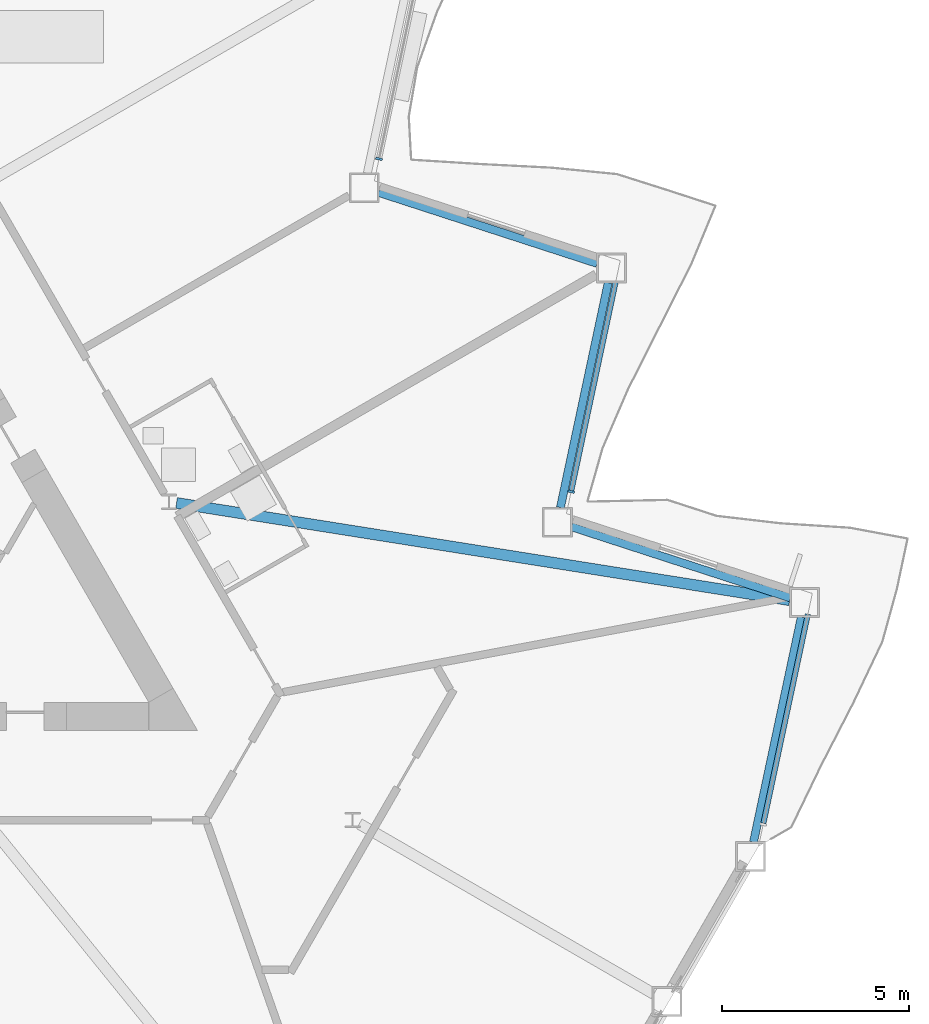
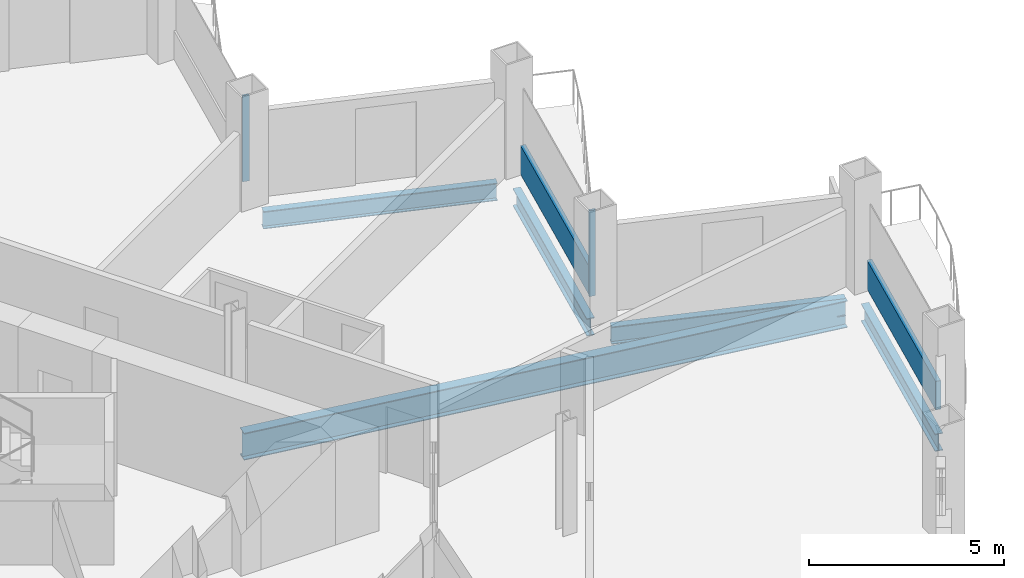
# One storey, part 6 of 22: 5 beams, 4 members, 3 elements without a shape of their own.
"""IFC4 building model written with IfcOpenShell, lengths in metres."""

from ifc_helpers import new_model, si_unit, direction, frame, origin, origin_2d, place, context, subcontext, project, spatial, rectangle, i_section, extrude, material, layer, layer_set, material_profile, profile_set, type_object, element, aggregate, save


model = new_model("IFC4")

# Units and contexts
model_context = context("Model", 3, precision=1e-05, world=origin(), true_north=direction((0.0, 1.0)))
body_context = subcontext(model_context, "Body", "Model", "MODEL_VIEW")
ifc_project = project(units=[si_unit("LENGTHUNIT", "METRE"), si_unit("AREAUNIT", "SQUARE_METRE"), si_unit("VOLUMEUNIT", "CUBIC_METRE"), si_unit("PLANEANGLEUNIT", "RADIAN"), si_unit("MASSUNIT", "GRAM", prefix="KILO")], contexts=[model_context])

# Site, building, storey
site_placement = place(None, origin())
site = spatial("IfcSite", under=ifc_project, at=site_placement, CompositionType="ELEMENT")
building_placement = place(site_placement, origin())
building = spatial("IfcBuilding", under=site, at=building_placement, Name="Cormorant Prow Tower", CompositionType="ELEMENT")
storey_placement = place(building_placement, frame((0.0, 0.0, 190.800048828125)))
storey = spatial("IfcBuildingStorey", under=building, at=storey_placement, Name="L41", CompositionType="ELEMENT", Elevation=190.800048828125)

# Curtain wall, member
ifc_material_1 = material(Name="Aluminium 6063-T6", Category="aluminium")
ifc_layer = layer(ifc_material_1, 0.179931640625)
ifc_layer_set = layer_set([ifc_layer], Name="Aluminium 6063-T6")
curtain_wall_type = type_object("IfcCurtainWallType", Name="Hotel unitised curtain wall 180", PredefinedType="NOTDEFINED", material=ifc_layer_set)
curtain_wall_1_placement = place(storey_placement, origin())
curtain_wall_1 = element("IfcCurtainWall", 1, at=curtain_wall_1_placement, inside=storey, type_object=curtain_wall_type, Name="Hotel curtain wall ENE02", PredefinedType="NOTDEFINED")
ifc_material_2 = material(Name="Aluminium 6063-T6", Category="aluminium")
ifc_material_profile_1 = material_profile(ifc_material_2, rectangle(XDim=0.179931640625, YDim=0.06005859375, at=origin_2d()), Name="Hotel mullion 60x180")
ifc_profile_set_1 = profile_set([ifc_material_profile_1], Name="Aluminium 6063-T6")
member_type_1 = type_object("IfcMemberType", Name="Hotel mullion 60x180", PredefinedType="MULLION", material=ifc_profile_set_1)
member_1_placement = place(storey_placement, frame((25.498046875, -2.56591796875, 0.0), z_axis=(0.0, 0.0, 1.0), x_axis=(-0.978147607432, 0.207911659303, 0.0)))
member_1 = element("IfcMember", 2, at=member_1_placement, type_object=member_type_1, Name="Hotel mullion ENE02", PredefinedType="MULLION", context=body_context, shape_type="SweptSolid", body=[
    extrude(rectangle(XDim=0.179931640625, YDim=0.06005859375, at=origin_2d()), origin(), (0.0, 0.0, 1.0), 2.700927734375),
])

curtain_wall_2_placement = place(storey_placement, origin())
curtain_wall_2 = element("IfcCurtainWall", 3, at=curtain_wall_2_placement, inside=storey, type_object=curtain_wall_type, Name="Hotel curtain wall ENE04", PredefinedType="NOTDEFINED")
member_2_placement = place(storey_placement, frame((20.359619140625, 6.334228515625, 0.0), z_axis=(0.0, 0.0, 1.0), x_axis=(-0.978147613681, 0.207911629905, 0.0)))
member_2 = element("IfcMember", 4, at=member_2_placement, type_object=member_type_1, Name="Hotel mullion ENE04", PredefinedType="MULLION", context=body_context, shape_type="SweptSolid", body=[
    extrude(rectangle(XDim=0.179931640625, YDim=0.06005859375, at=origin_2d()), origin(), (0.0, 0.0, 1.0), 2.700927734375),
])
aggregate(curtain_wall_2, [member_2])

curtain_wall_3_placement = place(storey_placement, origin())
curtain_wall_3 = element("IfcCurtainWall", 5, at=curtain_wall_3_placement, inside=storey, type_object=curtain_wall_type, Name="Hotel curtain wall ENE00", PredefinedType="NOTDEFINED")
ifc_material_3 = material(Name="Terracotta", Category="masonry")
ifc_material_profile_2 = material_profile(ifc_material_3, rectangle(XDim=0.139892578125, YDim=0.89990234375, at=origin_2d()), Name="Hotel terracotta spandrel rail 140x900")
ifc_profile_set_2 = profile_set([ifc_material_profile_2], Name="Terracotta")
member_type_2 = type_object("IfcMemberType", Name="Hotel terracotta spandrel rail 140x900", PredefinedType="USERDEFINED", material=ifc_profile_set_2)
member_3_placement = place(storey_placement, frame((30.642822265625, -11.436767578125, 0.449951171875), z_axis=(0.207907772001, 0.978148433696, 0.0), x_axis=(-0.978148433696, 0.207907772001, 0.0)))
member_3 = element("IfcMember", 6, at=member_3_placement, type_object=member_type_2, Name="Hotel spandrel rail ENE00", ObjectType="TRANSOM", PredefinedType="USERDEFINED", context=body_context, shape_type="SweptSolid", body=[
    extrude(rectangle(XDim=0.139892578125, YDim=0.89990234375, at=origin_2d()), origin(), (0.0, 0.0, 1.0), 5.71875),
])
aggregate(curtain_wall_3, [member_3])

# Member
member_4_placement = place(storey_placement, frame((25.50439453125, -2.53662109375, 0.449951171875), z_axis=(0.207907772001, 0.978148433696, 0.0), x_axis=(-0.978148433696, 0.207907772001, 0.0)))
member_4 = element("IfcMember", 7, at=member_4_placement, type_object=member_type_2, Name="Hotel spandrel rail ENE02", ObjectType="TRANSOM", PredefinedType="USERDEFINED", context=body_context, shape_type="SweptSolid", body=[
    extrude(rectangle(XDim=0.139892578125, YDim=0.89990234375, at=origin_2d()), origin(), (0.0, 0.0, 1.0), 5.71875),
])

aggregate(curtain_wall_1, [member_1, member_4])

# Beams
ifc_material_4 = material(Name="Structural steel ASTM A992 Gr 50", Category="steel")
ifc_material_profile_3 = material_profile(ifc_material_4, i_section(OverallWidth=0.29296875, OverallDepth=0.845703125, WebThickness=0.015380859375, FlangeThickness=0.0244140625, at=origin_2d()), Name="W33x141")
ifc_profile_set_3 = profile_set([ifc_material_profile_3], Name="Structural steel ASTM A992 Gr 50")
beam_type_1 = type_object("IfcBeamType", Name="Radial floor beam W33x141", PredefinedType="BEAM", material=ifc_profile_set_3)
beam_1_placement = place(storey_placement, frame((14.94384765625, -2.869140625, -0.77294921875), z_axis=(0.987678058302, -0.156499371084, 0.0), x_axis=(0.156499371084, 0.987678058302, 0.0)))
element("IfcBeam", 8, at=beam_1_placement, inside=storey, type_object=beam_type_1, Name="Radial floor beam FB2 10 L41", PredefinedType="BEAM", context=body_context, shape_type="SweptSolid", body=[
    extrude(i_section(OverallWidth=0.29296875, OverallDepth=0.845703125, WebThickness=0.015380859375, FlangeThickness=0.0244140625, at=origin_2d()), origin(), (0.0, 0.0, 1.0), 16.604736328125),
])
ifc_material_5 = material(Name="Structural steel ASTM A992 Gr 50", Category="steel")
ifc_material_profile_4 = material_profile(ifc_material_5, i_section(OverallWidth=0.2138671875, OverallDepth=0.549072265625, WebThickness=0.0146484375, FlangeThickness=0.023681640625, at=origin_2d()), Name="W21x93")
ifc_profile_set_4 = profile_set([ifc_material_profile_4], Name="Structural steel ASTM A992 Gr 50")
beam_type_2 = type_object("IfcBeamType", Name="Spandrel beam W21x93", PredefinedType="SPANDREL", material=ifc_profile_set_4)
beam_2_placement = place(storey_placement, frame((30.377197265625, -11.93701171875, -0.62451171875), z_axis=(0.207904811195, 0.978149063018, 0.0), x_axis=(-0.978149063018, 0.207904811195, 0.0)))
element("IfcBeam", 9, at=beam_2_placement, inside=storey, type_object=beam_type_2, Name="Spandrel beam SB2 ENE00-ENE01 L41", PredefinedType="SPANDREL", context=body_context, shape_type="SweptSolid", body=[
    extrude(i_section(OverallWidth=0.2138671875, OverallDepth=0.549072265625, WebThickness=0.0146484375, FlangeThickness=0.023681640625, at=origin_2d()), origin(), (0.0, 0.0, 1.0), 6.149658203125),
])
beam_3_placement = place(storey_placement, frame((31.358642578125, -5.40673828125, -0.62451171875), z_axis=(-0.951057696564, 0.309013361859, 0.0), x_axis=(-0.309013361859, -0.951057696564, 0.0)))
element("IfcBeam", 10, at=beam_3_placement, inside=storey, type_object=beam_type_2, Name="Spandrel beam SB2 ENE01-ENE02 L41", PredefinedType="SPANDREL", context=body_context, shape_type="SweptSolid", body=[
    extrude(i_section(OverallWidth=0.2138671875, OverallDepth=0.549072265625, WebThickness=0.0146484375, FlangeThickness=0.023681640625, at=origin_2d()), origin(), (0.0, 0.0, 1.0), 6.14990234375),
])
beam_4_placement = place(storey_placement, frame((25.21240234375, -2.991455078125, -0.62451171875), z_axis=(0.207904811195, 0.978149063018, 0.0), x_axis=(-0.978149063018, 0.207904811195, 0.0)))
element("IfcBeam", 11, at=beam_4_placement, inside=storey, type_object=beam_type_2, Name="Spandrel beam SB2 ENE02-ENE03 L41", PredefinedType="SPANDREL", context=body_context, shape_type="SweptSolid", body=[
    extrude(i_section(OverallWidth=0.2138671875, OverallDepth=0.549072265625, WebThickness=0.0146484375, FlangeThickness=0.023681640625, at=origin_2d()), origin(), (0.0, 0.0, 1.0), 6.149658203125),
])
beam_5_placement = place(storey_placement, frame((26.19384765625, 3.538818359375, -0.62451171875), z_axis=(-0.951057696564, 0.309013361859, 0.0), x_axis=(-0.309013361859, -0.951057696564, 0.0)))
element("IfcBeam", 12, at=beam_5_placement, inside=storey, type_object=beam_type_2, Name="Spandrel beam SB2 ENE03-ENE04 L41", PredefinedType="SPANDREL", context=body_context, shape_type="SweptSolid", body=[
    extrude(i_section(OverallWidth=0.2138671875, OverallDepth=0.549072265625, WebThickness=0.0146484375, FlangeThickness=0.023681640625, at=origin_2d()), origin(), (0.0, 0.0, 1.0), 6.14990234375),
])

save(model, "model.ifc")
